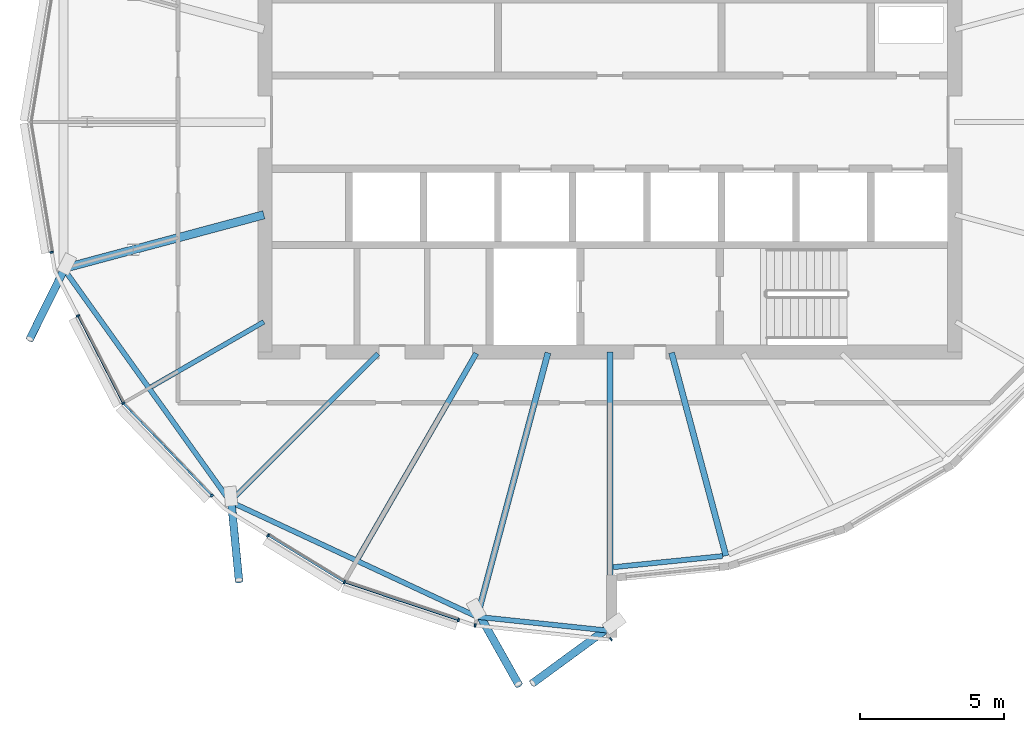
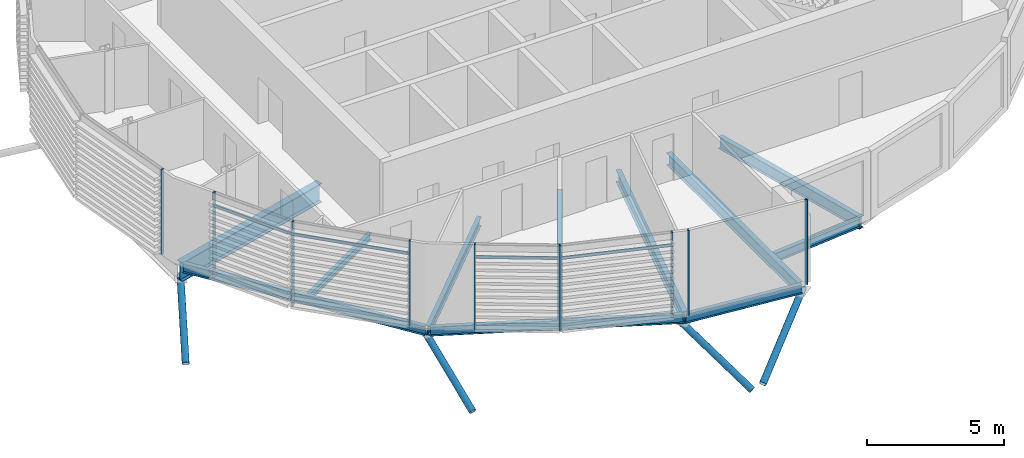
# One storey, part 3 of 34: 17 members, 11 beams, 1 element without a shape of its own.
"""IFC4 building model written with IfcOpenShell, lengths in metres."""

from ifc_helpers import new_model, si_unit, direction, frame, origin, origin_2d, place, context, subcontext, project, spatial, rectangle, hollow_circle, i_section, extrude, clip, halfspace, material, material_profile, profile_set, type_object, element, aggregate, save


model = new_model("IFC4")

# Units and contexts
model_context = context("Model", 3, precision=1e-05, world=origin(), true_north=direction((0.0, 1.0)))
body_context = subcontext(model_context, "Body", "Model", "MODEL_VIEW")
ifc_project = project(units=[si_unit("LENGTHUNIT", "METRE"), si_unit("AREAUNIT", "SQUARE_METRE"), si_unit("VOLUMEUNIT", "CUBIC_METRE"), si_unit("PLANEANGLEUNIT", "RADIAN"), si_unit("MASSUNIT", "GRAM", prefix="KILO")], contexts=[model_context])

# Site, building, storey
site_placement = place(None, origin())
site = spatial("IfcSite", under=ifc_project, at=site_placement, CompositionType="ELEMENT")
building_placement = place(site_placement, origin())
building = spatial("IfcBuilding", under=site, at=building_placement, Name="Rimbun Link Towers", CompositionType="ELEMENT")
storey_placement = place(building_placement, frame((0.0, 0.0, 252.300048828125)))
storey = spatial("IfcBuildingStorey", under=building, at=storey_placement, Name="L62", CompositionType="ELEMENT", Elevation=252.300048828125)

# Curtain wall, members
ifc_material_1 = material(Name="Aluminium 6063-T6 and low-iron glass", Category="aluminium")
curtain_wall_type = type_object("IfcCurtainWallType", Name="CW1-Z4 unitised vision wall (zone 4)", PredefinedType="NOTDEFINED", material=ifc_material_1)
curtain_wall_placement = place(storey_placement, origin())
curtain_wall = element("IfcCurtainWall", 1, at=curtain_wall_placement, inside=storey, type_object=curtain_wall_type, Name="CW1 L62 T1", PredefinedType="NOTDEFINED")
ifc_material_2 = material(Name="Aluminium 6063-T6", Category="aluminium")
ifc_material_profile_1 = material_profile(ifc_material_2, rectangle(XDim=0.1201171875, YDim=0.06005859375, at=origin_2d()), Name="MULLION 60X120")
ifc_profile_set_1 = profile_set([ifc_material_profile_1], Name="Aluminium 6063-T6")
member_type_1 = type_object("IfcMemberType", Name="CW1 mullion 60X120", PredefinedType="MULLION", material=ifc_profile_set_1)
member_1_placement = place(storey_placement, frame((-51.173828125, -4.52880859375, 0.0), z_axis=(0.0, 0.0, 1.0), x_axis=(-0.986747677327, -0.162262199201, 0.0)))
member_1 = element("IfcMember", 2, at=member_1_placement, type_object=member_type_1, Name="CW1 mullion", PredefinedType="MULLION", context=body_context, shape_type="SweptSolid", body=[
    extrude(rectangle(XDim=0.1201171875, YDim=0.06005859375, at=origin_2d()), origin(), (0.0, 0.0, 1.0), 3.800048828125),
])
member_2_placement = place(storey_placement, frame((-48.683837890625, -9.783447265625, 0.0), z_axis=(0.0, 0.0, 1.0), x_axis=(-0.813354276071, -0.581768701115, 0.0)))
member_2 = element("IfcMember", 3, at=member_2_placement, type_object=member_type_1, Name="CW1 mullion", PredefinedType="MULLION", context=body_context, shape_type="SweptSolid", body=[
    extrude(rectangle(XDim=0.1201171875, YDim=0.06005859375, at=origin_2d()), origin(), (0.0, 0.0, 1.0), 3.800048828125),
])
member_3_placement = place(storey_placement, frame((-50.258056640625, -6.742431640625, 0.0), z_axis=(0.0, 0.0, 1.0), x_axis=(-0.888150898734, -0.459551935126, 0.0)))
member_3 = element("IfcMember", 4, at=member_3_placement, type_object=member_type_1, Name="CW1 mullion", PredefinedType="MULLION", context=body_context, shape_type="SweptSolid", body=[
    extrude(rectangle(XDim=0.1201171875, YDim=0.06005859375, at=origin_2d()), origin(), (0.0, 0.0, 1.0), 3.800048828125),
])
member_4_placement = place(storey_placement, frame((-45.6005859375, -13.00048828125, 0.0), z_axis=(0.0, 0.0, 1.0), x_axis=(-0.721858292347, -0.692040898915, 0.0)))
member_4 = element("IfcMember", 5, at=member_4_placement, type_object=member_type_1, Name="CW1 mullion", PredefinedType="MULLION", context=body_context, shape_type="SweptSolid", body=[
    extrude(rectangle(XDim=0.1201171875, YDim=0.06005859375, at=origin_2d()), origin(), (0.0, 0.0, 1.0), 3.800048828125),
])
member_5_placement = place(storey_placement, frame((-40.988525390625, -16.01220703125, 0.0), z_axis=(0.0, 0.0, 1.0), x_axis=(-0.421699968812, -0.906735427953, 0.0)))
member_5 = element("IfcMember", 6, at=member_5_placement, type_object=member_type_1, Name="CW1 mullion", PredefinedType="MULLION", context=body_context, shape_type="SweptSolid", body=[
    extrude(rectangle(XDim=0.1201171875, YDim=0.06005859375, at=origin_2d()), origin(), (0.0, 0.0, 1.0), 3.800048828125),
])
member_6_placement = place(storey_placement, frame((-43.6396484375, -14.385009765625, 0.0), z_axis=(0.0, 0.0, 1.0), x_axis=(-0.523228997113, -0.852192124219, 0.0)))
member_6 = element("IfcMember", 7, at=member_6_placement, type_object=member_type_1, Name="CW1 mullion", PredefinedType="MULLION", context=body_context, shape_type="SweptSolid", body=[
    extrude(rectangle(XDim=0.1201171875, YDim=0.06005859375, at=origin_2d()), origin(), (0.0, 0.0, 1.0), 3.800048828125),
])
member_7_placement = place(storey_placement, frame((-37.016845703125, -17.328857421875, 0.0), z_axis=(0.0, 0.0, 1.0), x_axis=(-0.314569451089, -0.949234460205, 0.0)))
member_7 = element("IfcMember", 8, at=member_7_placement, type_object=member_type_1, Name="CW1 mullion", PredefinedType="MULLION", context=body_context, shape_type="SweptSolid", body=[
    extrude(rectangle(XDim=0.1201171875, YDim=0.06005859375, at=origin_2d()), origin(), (0.0, 0.0, 1.0), 3.800048828125),
])
member_8_placement = place(storey_placement, frame((-31.7099609375, -17.997802734375, 0.0), z_axis=(0.0, 0.0, 1.0), x_axis=(0.669054420529, -0.743213416436, 0.0)))
member_8 = element("IfcMember", 9, at=member_8_placement, type_object=member_type_1, Name="CW1 mullion", PredefinedType="MULLION", context=body_context, shape_type="SweptSolid", body=[
    extrude(rectangle(XDim=0.1201171875, YDim=0.06005859375, at=origin_2d()), origin(), (0.0, 0.0, 1.0), 3.800048828125),
])
member_9_placement = place(storey_placement, frame((-36.434814453125, -17.520263671875, 0.0), z_axis=(0.0, 0.0, 1.0), x_axis=(-0.10473236474, -0.994500443326, 0.0)))
member_9 = element("IfcMember", 10, at=member_9_placement, type_object=member_type_1, Name="CW1 mullion", PredefinedType="MULLION", context=body_context, shape_type="SweptSolid", body=[
    extrude(rectangle(XDim=0.1201171875, YDim=0.06005859375, at=origin_2d()), origin(), (0.0, 0.0, 1.0), 3.800048828125),
])
ifc_material_3 = material(Name="Aluminium 6063-T6", Category="aluminium")
ifc_material_profile_2 = material_profile(ifc_material_3, rectangle(XDim=0.06005859375, YDim=0.1201171875, at=origin_2d()), Name="TRANSOM 60X120")
ifc_profile_set_2 = profile_set([ifc_material_profile_2], Name="Aluminium 6063-T6")
member_type_2 = type_object("IfcMemberType", Name="CW1 transom 60X120", PredefinedType="USERDEFINED", material=ifc_profile_set_2)
member_10_placement = place(storey_placement, frame((-48.700439453125, -9.74853515625, 3.199951171875), z_axis=(-0.459567390883, 0.888142901361, 0.0), x_axis=(-0.888142901361, -0.459567390883, 0.0)))
member_10 = element("IfcMember", 11, at=member_10_placement, type_object=member_type_2, Name="CW1 transom", ObjectType="TRANSOM", PredefinedType="USERDEFINED", context=body_context, shape_type="SweptSolid", body=[
    extrude(rectangle(XDim=0.06005859375, YDim=0.1201171875, at=origin_2d()), origin(), (0.0, 0.0, 1.0), 3.35595703125),
])
member_11_placement = place(storey_placement, frame((-45.619873046875, -12.9775390625, 3.199951171875), z_axis=(-0.692037083084, 0.721861950539, 0.0), x_axis=(-0.721861950539, -0.692037083084, 0.0)))
member_11 = element("IfcMember", 12, at=member_11_placement, type_object=member_type_2, Name="CW1 transom", ObjectType="TRANSOM", PredefinedType="USERDEFINED", context=body_context, shape_type="SweptSolid", body=[
    extrude(rectangle(XDim=0.06005859375, YDim=0.1201171875, at=origin_2d()), origin(), (0.0, 0.0, 1.0), 4.3876953125),
])
member_12_placement = place(storey_placement, frame((-41.019287109375, -15.991455078125, 3.199951171875), z_axis=(-0.852189422972, 0.523233396654, 0.0), x_axis=(-0.523233396654, -0.852189422972, 0.0)))
member_12 = element("IfcMember", 13, at=member_12_placement, type_object=member_type_2, Name="CW1 transom", ObjectType="TRANSOM", PredefinedType="USERDEFINED", context=body_context, shape_type="SweptSolid", body=[
    extrude(rectangle(XDim=0.06005859375, YDim=0.1201171875, at=origin_2d()), origin(), (0.0, 0.0, 1.0), 3.043701171875),
])
member_13_placement = place(storey_placement, frame((-37.044677734375, -17.3173828125, 3.199951171875), z_axis=(-0.949239188988, 0.314555181309, 0.0), x_axis=(-0.314555181309, -0.949239188988, 0.0)))
member_13 = element("IfcMember", 14, at=member_13_placement, type_object=member_type_2, Name="CW1 transom", ObjectType="TRANSOM", PredefinedType="USERDEFINED", context=body_context, shape_type="SweptSolid", body=[
    extrude(rectangle(XDim=0.06005859375, YDim=0.1201171875, at=origin_2d()), origin(), (0.0, 0.0, 1.0), 4.117431640625),
])
aggregate(curtain_wall, [member_1, member_2, member_3, member_4, member_5, member_6, member_7, member_8, member_9, member_10, member_11, member_12, member_13])

# Members
ifc_material_4 = material(Name="Steel S355J2H", Category="steel")
ifc_material_profile_3 = material_profile(ifc_material_4, hollow_circle(Radius=0.136474609375, WallThickness=0.012451171875, at=origin_2d()), Name="CHS 273x12.5")
ifc_profile_set_3 = profile_set([ifc_material_profile_3], Name="Steel S355J2H")
member_type_3 = type_object("IfcMemberType", Name="Floor edge link CHS 273x12.5", PredefinedType="BRACE", material=ifc_profile_set_3)
member_14_placement = place(storey_placement, frame((-50.713623046875, -5.081298828125, -1.096923828125), z_axis=(-0.377196030767, -0.762957867811, -0.524993758361), x_axis=(0.896430995804, -0.443183336511, 0.0)))
element("IfcMember", 15, at=member_14_placement, inside=storey, type_object=member_type_3, Name="Floor edge link T1 L62 13", PredefinedType="BRACE", context=body_context, shape_type="Clipping", body=[
    clip(extrude(hollow_circle(Radius=0.136474609375, WallThickness=0.012451171875, at=origin_2d()), frame((0.0, 0.0, -0.461669921875)), (0.0, 0.0, 1.0), 3.710693359375), halfspace(frame((0.0, 0.0, -0.217529296875), z_axis=(0.0, 0.851106076633, -0.524993758361)), False)),
])
member_15_placement = place(storey_placement, frame((-44.925048828125, -13.175048828125, -0.66259765625), z_axis=(0.082598273925, -0.846780333317, -0.525490810816), x_axis=(0.995276274176, 0.097083150247, 0.0)))
element("IfcMember", 16, at=member_15_placement, inside=storey, type_object=member_type_3, Name="Floor edge link T1 L62 15", PredefinedType="BRACE", context=body_context, shape_type="Clipping", body=[
    clip(extrude(hollow_circle(Radius=0.136474609375, WallThickness=0.012451171875, at=origin_2d()), frame((0.0, 0.0, -0.4609375)), (0.0, 0.0, 1.0), 3.759521484375), halfspace(frame((0.0, 0.0, -0.21728515625), z_axis=(0.0, 0.850799275827, -0.525490810816)), False)),
])
member_16_placement = place(storey_placement, frame((-36.326416015625, -17.079833984375, -0.787841796875), z_axis=(0.411555028801, -0.731265453703, -0.543942363205), x_axis=(0.871464396842, 0.490458769966, 0.0)))
element("IfcMember", 17, at=member_16_placement, inside=storey, type_object=member_type_3, Name="Floor edge link T1 L62 17", PredefinedType="BRACE", context=body_context, shape_type="Clipping", body=[
    clip(extrude(hollow_circle(Radius=0.136474609375, WallThickness=0.012451171875, at=origin_2d()), frame((0.0, 0.0, -0.439453125)), (0.0, 0.0, 1.0), 3.865966796875), halfspace(frame((0.0, 0.0, -0.207275390625), z_axis=(0.0, 0.839122580742, -0.543942363205)), False)),
])
member_17_placement = place(storey_placement, frame((-31.75, -17.5615234375, -0.7939453125), z_axis=(-0.712106467469, -0.521440913163, -0.470110362648), x_axis=(0.590795829633, -0.806821100176, 0.0)))
element("IfcMember", 18, at=member_17_placement, inside=storey, type_object=member_type_3, Name="Floor edge link T1 L62 18", PredefinedType="BRACE", context=body_context, shape_type="Clipping", body=[
    clip(extrude(hollow_circle(Radius=0.136474609375, WallThickness=0.012451171875, at=origin_2d()), frame((0.0, 0.0, -0.53369140625)), (0.0, 0.0, 1.0), 4.31494140625), halfspace(frame((0.0, 0.0, -0.252685546875), z_axis=(0.0, 0.882607640422, -0.470110362648)), False)),
])

# Beams
ifc_material_5 = material(Name="Steel S355J2", Category="steel")
ifc_material_profile_4 = material_profile(ifc_material_5, i_section(OverallWidth=0.1650390625, OverallDepth=0.303466796875, WebThickness=0.006103515625, FlangeThickness=0.01025390625, at=origin_2d()), Name="UB 305x165x40")
ifc_profile_set_4 = profile_set([ifc_material_profile_4], Name="Steel S355J2")
beam_type_1 = type_object("IfcBeamType", Name="UB 305x165x40", PredefinedType="BEAM", material=ifc_profile_set_4)
beam_1_placement = place(storey_placement, frame((-43.7919921875, -6.952392578125, -0.291748046875), z_axis=(-0.866024614991, -0.500001366228, 0.0), x_axis=(0.500001366228, -0.866024614991, 0.0)))
element("IfcBeam", 19, at=beam_1_placement, inside=storey, type_object=beam_type_1, Name="Radial beam T1 L62 14", PredefinedType="BEAM", context=body_context, shape_type="SweptSolid", body=[
    extrude(i_section(OverallWidth=0.1650390625, OverallDepth=0.303466796875, WebThickness=0.006103515625, FlangeThickness=0.01025390625, at=origin_2d()), origin(), (0.0, 0.0, 1.0), 4.52099609375),
])
ifc_material_6 = material(Name="Steel S355J2", Category="steel")
ifc_material_profile_5 = material_profile(ifc_material_6, i_section(OverallWidth=0.177978515625, OverallDepth=0.406494140625, WebThickness=0.0078125, FlangeThickness=0.0126953125, at=origin_2d()), Name="UB 406x178x60")
ifc_profile_set_5 = profile_set([ifc_material_profile_5], Name="Steel S355J2")
beam_type_2 = type_object("IfcBeamType", Name="UB 406x178x60", PredefinedType="BEAM", material=ifc_profile_set_5)
beam_2_placement = place(storey_placement, frame((-39.813720703125, -8.063720703125, -0.34326171875), z_axis=(-0.707106781187, -0.707106781187, 0.0), x_axis=(0.707106781187, -0.707106781187, 0.0)))
element("IfcBeam", 20, at=beam_2_placement, inside=storey, type_object=beam_type_2, Name="Radial beam T1 L62 15", PredefinedType="BEAM", context=body_context, shape_type="SweptSolid", body=[
    extrude(i_section(OverallWidth=0.177978515625, OverallDepth=0.406494140625, WebThickness=0.0078125, FlangeThickness=0.0126953125, at=origin_2d()), origin(), (0.0, 0.0, 1.0), 7.2783203125),
])
beam_3_placement = place(storey_placement, frame((-50.67041015625, -5.22216796875, -0.34326171875), z_axis=(0.581515919417, -0.813535024117, 0.0), x_axis=(0.813535024117, 0.581515919417, 0.0)))
element("IfcBeam", 21, at=beam_3_placement, inside=storey, type_object=beam_type_2, Name="Edge beam T1 L62 13-15", PredefinedType="BEAM", context=body_context, shape_type="SweptSolid", body=[
    extrude(i_section(OverallWidth=0.177978515625, OverallDepth=0.406494140625, WebThickness=0.0078125, FlangeThickness=0.0126953125, at=origin_2d()), origin(), (0.0, 0.0, 1.0), 9.72802734375),
])
beam_4_placement = place(storey_placement, frame((-44.87353515625, -13.250732421875, -0.34326171875), z_axis=(0.906432957626, -0.422349728696, 0.0), x_axis=(0.422349728696, 0.906432957626, 0.0)))
element("IfcBeam", 22, at=beam_4_placement, inside=storey, type_object=beam_type_2, Name="Edge beam T1 L62 15-17", PredefinedType="BEAM", context=body_context, shape_type="SweptSolid", body=[
    extrude(i_section(OverallWidth=0.177978515625, OverallDepth=0.406494140625, WebThickness=0.0078125, FlangeThickness=0.0126953125, at=origin_2d()), origin(), (0.0, 0.0, 1.0), 9.28173828125),
])
beam_5_placement = place(storey_placement, frame((-36.362060546875, -17.21630859375, -0.34326171875), z_axis=(0.994500546953, -0.104731380732, 0.0), x_axis=(0.104731380732, 0.994500546953, 0.0)))
element("IfcBeam", 23, at=beam_5_placement, inside=storey, type_object=beam_type_2, Name="Edge beam T1 L62 17", PredefinedType="BEAM", context=body_context, shape_type="SweptSolid", body=[
    extrude(i_section(OverallWidth=0.177978515625, OverallDepth=0.406494140625, WebThickness=0.0078125, FlangeThickness=0.0126953125, at=origin_2d()), origin(), (0.0, 0.0, 1.0), 4.636474609375),
])
beam_6_placement = place(storey_placement, frame((-31.635498046875, -15.490478515625, -0.34326171875), z_axis=(0.994871013161, 0.101151703755, 0.0), x_axis=(-0.101151703755, 0.994871013161, 0.0)))
element("IfcBeam", 24, at=beam_6_placement, inside=storey, type_object=beam_type_2, Name="Edge beam T1 L62 18 recess", PredefinedType="BEAM", context=body_context, shape_type="SweptSolid", body=[
    extrude(i_section(OverallWidth=0.177978515625, OverallDepth=0.406494140625, WebThickness=0.0078125, FlangeThickness=0.0126953125, at=origin_2d()), origin(), (0.0, 0.0, 1.0), 3.827880859375),
])
ifc_material_7 = material(Name="Steel S355J2", Category="steel")
ifc_material_profile_6 = material_profile(ifc_material_7, i_section(OverallWidth=0.18994140625, OverallDepth=0.453369140625, WebThickness=0.008544921875, FlangeThickness=0.0126953125, at=origin_2d()), Name="UB 457x191x67")
ifc_profile_set_6 = profile_set([ifc_material_profile_6], Name="Steel S355J2")
beam_type_3 = type_object("IfcBeamType", Name="UB 457x191x67", PredefinedType="BEAM", material=ifc_profile_set_6)
beam_7_placement = place(storey_placement, frame((-36.396728515625, -8.04833984375, -0.36669921875), z_axis=(-0.499996112969, -0.866027647951, 0.0), x_axis=(0.866027647951, -0.499996112969, 0.0)))
element("IfcBeam", 25, at=beam_7_placement, inside=storey, type_object=beam_type_3, Name="Radial beam T1 L62 16", PredefinedType="BEAM", context=body_context, shape_type="SweptSolid", body=[
    extrude(i_section(OverallWidth=0.18994140625, OverallDepth=0.453369140625, WebThickness=0.008544921875, FlangeThickness=0.0126953125, at=origin_2d()), origin(), (0.0, 0.0, 1.0), 8.2373046875),
])
ifc_material_8 = material(Name="Steel S355J2", Category="steel")
ifc_material_profile_7 = material_profile(ifc_material_8, i_section(OverallWidth=0.209228515625, OverallDepth=0.533203125, WebThickness=0.010009765625, FlangeThickness=0.015625, at=origin_2d()), Name="UB 533x210x92")
ifc_profile_set_7 = profile_set([ifc_material_profile_7], Name="Steel S355J2")
beam_type_4 = type_object("IfcBeamType", Name="UB 533x210x92", PredefinedType="BEAM", material=ifc_profile_set_7)
beam_8_placement = place(storey_placement, frame((-33.901123046875, -8.028076171875, -0.406494140625), z_axis=(-0.258830210611, -0.965922834431, 0.0), x_axis=(0.965922834431, -0.258830210611, 0.0)))
element("IfcBeam", 26, at=beam_8_placement, inside=storey, type_object=beam_type_4, Name="Radial beam T1 L62 17", PredefinedType="BEAM", context=body_context, shape_type="SweptSolid", body=[
    extrude(i_section(OverallWidth=0.209228515625, OverallDepth=0.533203125, WebThickness=0.010009765625, FlangeThickness=0.015625, at=origin_2d()), origin(), (0.0, 0.0, 1.0), 9.421142578125),
])
beam_9_placement = place(storey_placement, frame((-31.75, -8.0009765625, -0.406494140625), z_axis=(0.0, -1.0, 0.0), x_axis=(1.0, 0.0, 0.0)))
element("IfcBeam", 27, at=beam_9_placement, inside=storey, type_object=beam_type_4, Name="Radial beam T1 L62 18", PredefinedType="BEAM", context=body_context, shape_type="SweptSolid", body=[
    extrude(i_section(OverallWidth=0.209228515625, OverallDepth=0.533203125, WebThickness=0.010009765625, FlangeThickness=0.015625, at=origin_2d()), origin(), (0.0, 0.0, 1.0), 9.610595703125),
])
beam_10_placement = place(storey_placement, frame((-29.598876953125, -8.028076171875, -0.406494140625), z_axis=(0.258834553275, -0.965921670753, 0.0), x_axis=(0.965921670753, 0.258834553275, 0.0)))
element("IfcBeam", 28, at=beam_10_placement, inside=storey, type_object=beam_type_4, Name="Radial beam T1 L62 19", PredefinedType="BEAM", context=body_context, shape_type="SweptSolid", body=[
    extrude(i_section(OverallWidth=0.209228515625, OverallDepth=0.533203125, WebThickness=0.010009765625, FlangeThickness=0.015625, at=origin_2d()), origin(), (0.0, 0.0, 1.0), 7.31201171875),
])
ifc_material_9 = material(Name="Steel S355J2", Category="steel")
ifc_material_profile_8 = material_profile(ifc_material_9, i_section(OverallWidth=0.29248046875, OverallDepth=0.8408203125, WebThickness=0.0126953125, FlangeThickness=0.021728515625, at=origin_2d()), Name="UB 838x292x194")
ifc_profile_set_8 = profile_set([ifc_material_profile_8], Name="Steel S355J2")
beam_type_5 = type_object("IfcBeamType", Name="UB 838x292x194", PredefinedType="BEAM", material=ifc_profile_set_8)
beam_11_placement = place(storey_placement, frame((-43.788818359375, -3.225830078125, -0.560302734375), z_axis=(-0.965927219891, -0.258813844052, 0.0), x_axis=(0.258813844052, -0.965927219891, 0.0)))
element("IfcBeam", 29, at=beam_11_placement, inside=storey, type_object=beam_type_5, Name="Radial beam T1 L62 13", PredefinedType="BEAM", context=body_context, shape_type="SweptSolid", body=[
    extrude(i_section(OverallWidth=0.29248046875, OverallDepth=0.8408203125, WebThickness=0.0126953125, FlangeThickness=0.021728515625, at=origin_2d()), origin(), (0.0, 0.0, 1.0), 7.21923828125),
])

save(model, "model.ifc")
